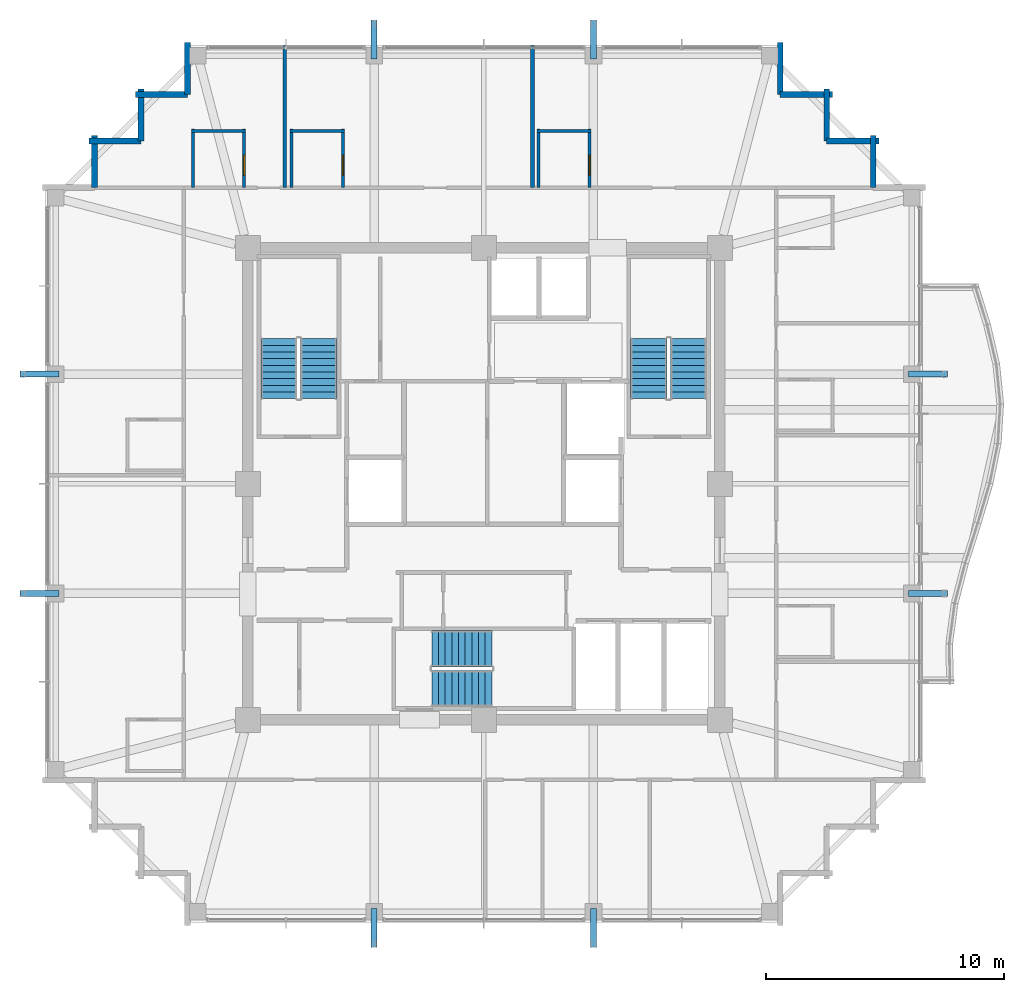
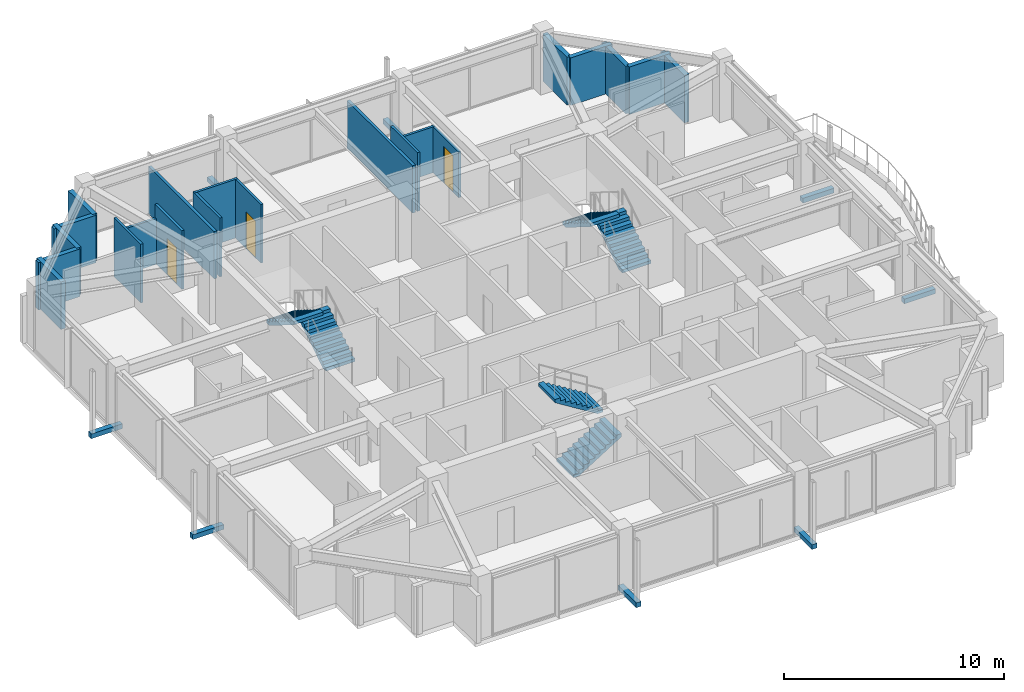
# One storey, part 27 of 29: 21 walls, 8 discrete accessories, 6 stair flights, 3 doors, 3 openings, 3 elements without a shape of their own.
"""IFC4 building model written with IfcOpenShell, lengths in metres."""

import ifcopenshell
import ifcopenshell.guid

model = None  # the IFC model being written
_history = None  # IfcOwnerHistory: only IFC2X3 demands one
_inside = {}  # id of a spatial element -> (the spatial element, [elements in it])
_under = {}  # id of a project, library or spatial element -> (it, [spatial elements below it])
_declared = {}  # id of a project -> (the project, [libraries it declares])
_typed = {}  # id of a type object -> (the type object, [elements of that type])
_made_of = {}  # id of a material, layer set ... -> (it, [elements and type objects made of it])


def new_model(schema):
    """Start an empty IFC model of exactly this schema.

    Asked for "IFC4X3", IfcOpenShell would pick the latest addendum, in which some entities
    have other attributes; the version numbers below select the first issue.
    IFC2X3 requires an IfcOwnerHistory on every rooted entity: one is made here for all.
    """
    global model, _history
    if schema == "IFC4X3":
        model = ifcopenshell.file(schema_version=(4, 3, 0, 0))
    else:
        model = ifcopenshell.file(schema=schema)
    _inside.clear()
    _under.clear()
    _declared.clear()
    _typed.clear()
    _made_of.clear()
    _history = None
    if model.schema == "IFC2X3":
        org = make("IfcOrganization", Name="unknown")
        user = make(
            "IfcPersonAndOrganization",
            ThePerson=make("IfcPerson", FamilyName="unknown"),
            TheOrganization=org,
        )
        app = make(
            "IfcApplication",
            ApplicationDeveloper=org,
            Version="unknown",
            ApplicationFullName="unknown",
            ApplicationIdentifier="unknown",
        )
        _history = make(
            "IfcOwnerHistory",
            OwningUser=user,
            OwningApplication=app,
            ChangeAction="ADDED",
            CreationDate=0,
        )
    return model


def make(cls, **values):
    """One entity of the class cls with the attributes given. An attribute that is None is left unset."""
    return model.create_entity(
        cls, **{name: value for name, value in values.items() if value is not None}
    )


def rooted(cls, **values):
    """An entity with a GlobalId (a new one), such as an element, a storey or a relation."""
    return make(cls, GlobalId=ifcopenshell.guid.new(), OwnerHistory=_history, **values)


def si_unit(unit_type, name, prefix=None):
    """IfcSIUnit, for example si_unit("LENGTHUNIT", "METRE", prefix="MILLI")."""
    return make("IfcSIUnit", UnitType=unit_type, Prefix=prefix, Name=name)


def assignment(units):
    """IfcUnitAssignment: the units of a project."""
    return None if units is None else make("IfcUnitAssignment", Units=units)


def point(xyz):
    """IfcCartesianPoint."""
    return None if xyz is None else make("IfcCartesianPoint", Coordinates=xyz)


def direction(xyz):
    """IfcDirection."""
    return None if xyz is None else make("IfcDirection", DirectionRatios=xyz)


def frame(location, z_axis=None, x_axis=None):
    """IfcAxis2Placement3D, a coordinate frame: its origin and axes. An axis left out is left unset."""
    return make(
        "IfcAxis2Placement3D",
        Location=point(location),
        Axis=direction(z_axis),
        RefDirection=direction(x_axis),
    )


def frame_2d(location, x_axis=None):
    """IfcAxis2Placement2D, a coordinate frame in the plane: its origin and x axis."""
    return make(
        "IfcAxis2Placement2D", Location=point(location), RefDirection=direction(x_axis)
    )


def origin():
    """The frame at (0, 0, 0) with its axes left unset."""
    return frame((0.0, 0.0, 0.0))


def origin_2d():
    """The frame at (0, 0) in the plane with its x axis left unset."""
    return frame_2d((0.0, 0.0))


def place(relative_to, where):
    """IfcLocalPlacement: puts the frame where relative to a parent placement (None: the world)."""
    return make(
        "IfcLocalPlacement", PlacementRelTo=relative_to, RelativePlacement=where
    )


def context(
    kind, dimensions, precision=None, world=None, true_north=None, identifier=None
):
    """IfcGeometricRepresentationContext, for example the 3D "Model" context."""
    return make(
        "IfcGeometricRepresentationContext",
        ContextIdentifier=identifier,
        ContextType=kind,
        CoordinateSpaceDimension=dimensions,
        Precision=precision,
        WorldCoordinateSystem=world,
        TrueNorth=true_north,
    )


def subcontext(parent, identifier, kind, view, scale=None):
    """IfcGeometricRepresentationSubContext, for example "Body" below "Model"."""
    return make(
        "IfcGeometricRepresentationSubContext",
        ContextIdentifier=identifier,
        ContextType=kind,
        ParentContext=parent,
        TargetScale=scale,
        TargetView=view,
    )


def project(units=None, contexts=None):
    """IfcProject with its units and contexts."""
    return rooted(
        "IfcProject",
        Name="project",
        RepresentationContexts=contexts,
        UnitsInContext=assignment(units),
    )


def spatial(cls, under=None, at=None, **own):
    """A site, building, storey or space (cls), placed at a placement, below another one or the project."""
    s = rooted(cls, ObjectPlacement=at, **own)
    if under is not None:
        _under.setdefault(under.id(), (under, []))[1].append(s)
    return s


def polyline(points):
    """IfcPolyline through the points."""
    return make("IfcPolyline", Points=[point(p) for p in points])


def profile(cls, at=None, kind="AREA", **sizes):
    """A parametric profile (cls). Its sizes go by their IFC names, for example OverallWidth=200.0."""
    return make(cls, ProfileType=kind, Position=at, **sizes)


def rectangle(**sizes):
    """IfcRectangleProfileDef."""
    return profile("IfcRectangleProfileDef", **sizes)


def outline(outer, holes=None, kind="AREA"):
    """IfcArbitraryClosedProfileDef: a profile drawn as a closed curve; with holes, ...WithVoids."""
    if holes is None:
        return make("IfcArbitraryClosedProfileDef", ProfileType=kind, OuterCurve=outer)
    return make(
        "IfcArbitraryProfileDefWithVoids",
        ProfileType=kind,
        OuterCurve=outer,
        InnerCurves=holes,
    )


def extrude(swept, where, along, depth):
    """IfcExtrudedAreaSolid: the profile swept, set in the frame where, extruded along a direction by depth."""
    return make(
        "IfcExtrudedAreaSolid",
        SweptArea=swept,
        Position=where,
        ExtrudedDirection=direction(along),
        Depth=depth,
    )


def shape(context_of_items, identifier, shape_type, items):
    """IfcShapeRepresentation: the items that make up one representation, for example the "Body"."""
    return make(
        "IfcShapeRepresentation",
        ContextOfItems=context_of_items,
        RepresentationIdentifier=identifier,
        RepresentationType=shape_type,
        Items=items,
    )


def material(Name=None, Category=None):
    """IfcMaterial."""
    return make("IfcMaterial", Name=Name, Category=Category)


def layer(
    of_material, thickness, ventilated=None, Name=None, Category=None, Priority=None
):
    """IfcMaterialLayer: one layer of a wall or slab, of a material (None: an air gap)."""
    return make(
        "IfcMaterialLayer",
        Material=of_material,
        LayerThickness=thickness,
        IsVentilated=ventilated,
        Name=Name,
        Category=Category,
        Priority=Priority,
    )


def layer_set(layers, Name=None):
    """IfcMaterialLayerSet."""
    return make("IfcMaterialLayerSet", MaterialLayers=layers, LayerSetName=Name)


def made_of(thing, what):
    """Note that an element or type object is made of a material, layer set ...; save() writes the relation."""
    if what is not None:
        _made_of.setdefault(what.id(), (what, []))[1].append(thing)
    return thing


def type_object(cls, material=None, **own):
    """A type object (cls), such as IfcWallType, which elements share."""
    return made_of(rooted(cls, **own), material)


def element(
    cls,
    number,
    at=None,
    inside=None,
    cuts=None,
    type_object=None,
    material=None,
    context=None,
    identifier="Body",
    shape_type=None,
    held_by="IfcProductDefinitionShape",
    body=None,
    shapes=None,
    **own,
):
    """One element of the class cls, such as IfcWall. Its Tag is "e" and its number.

    at: its placement. inside: the storey or other place that contains it. cuts: it is an
    opening in that element (IfcRelVoidsElement). A single representation is given by context,
    identifier, shape_type and body (its items); several are given by shapes. held_by: the class
    of the entity that holds the representations. save() writes the other relations.
    """
    e = rooted(cls, Tag="e%d" % number, ObjectPlacement=at, **own)
    if body is not None:
        shapes = [shape(context, identifier, shape_type, body)]
    if shapes is not None:
        e.Representation = make(held_by, Representations=shapes)
    if inside is not None:
        _inside.setdefault(inside.id(), (inside, []))[1].append(e)
    if cuts is not None:
        rooted(
            "IfcRelVoidsElement", RelatingBuildingElement=cuts, RelatedOpeningElement=e
        )
    if type_object is not None:
        _typed.setdefault(type_object.id(), (type_object, []))[1].append(e)
    return made_of(e, material)


def fill(opening, filler):
    """IfcRelFillsElement: the door or window that sits in an opening."""
    return rooted(
        "IfcRelFillsElement",
        RelatingOpeningElement=opening,
        RelatedBuildingElement=filler,
    )


def aggregate(whole, parts):
    """IfcRelAggregates: a whole, such as a stair, and the parts it consists of."""
    return rooted("IfcRelAggregates", RelatingObject=whole, RelatedObjects=parts)


def save(model, path):
    """Write the relations noted so far, then the file.

    IfcRelAggregates (storeys below a building ...), IfcRelContainedInSpatialStructure (elements
    in a storey), IfcRelDefinesByType, IfcRelAssociatesMaterial and IfcRelDeclares: one each for
    every whole, place, type object, material and project.
    """
    for whole, parts in _under.values():
        aggregate(whole, parts)
    for where, things in _inside.values():
        rooted(
            "IfcRelContainedInSpatialStructure",
            RelatedElements=things,
            RelatingStructure=where,
        )
    for kind, things in _typed.values():
        rooted("IfcRelDefinesByType", RelatedObjects=things, RelatingType=kind)
    for what, things in _made_of.values():
        rooted("IfcRelAssociatesMaterial", RelatedObjects=things, RelatingMaterial=what)
    for by, libraries in _declared.values():
        rooted("IfcRelDeclares", RelatingContext=by, RelatedDefinitions=libraries)
    model.write(path)


model = new_model("IFC4")

# Units and contexts
model_context = context("Model", 3, precision=1e-05, world=origin(), true_north=direction((0.0, 1.0)))
body_context = subcontext(model_context, "Body", "Model", "MODEL_VIEW")
ifc_project = project(units=[si_unit("LENGTHUNIT", "METRE"), si_unit("AREAUNIT", "SQUARE_METRE"), si_unit("VOLUMEUNIT", "CUBIC_METRE"), si_unit("PLANEANGLEUNIT", "RADIAN"), si_unit("MASSUNIT", "GRAM", prefix="KILO")], contexts=[model_context])

# Site, building, storey
site_placement = place(None, origin())
site = spatial("IfcSite", under=ifc_project, at=site_placement, CompositionType="ELEMENT")
building_placement = place(site_placement, origin())
building = spatial("IfcBuilding", under=site, at=building_placement, Name="Kolvaren Belvedere", CompositionType="ELEMENT")
storey_placement = place(building_placement, frame((0.0, 0.0, 244.39990234375)))
storey = spatial("IfcBuildingStorey", under=building, at=storey_placement, Name="L71", CompositionType="ELEMENT", Elevation=244.39990234375)

# Walls
ifc_material_1 = material(Name="Insulated pale-metal facade wall assembly", Category="aluminium")
ifc_layer_1 = layer(ifc_material_1, 0.239990234375)
ifc_layer_set_1 = layer_set([ifc_layer_1], Name="Insulated pale-metal facade wall assembly")
wall_type_1 = type_object("IfcWallType", Name="WL-EXT-240", PredefinedType="STANDARD", material=ifc_layer_set_1)
for number, where, z_axis, x_axis, name in (
    (1, (16.330078125, 14.6201171875, 0.0), (0.0, 0.0, 1.0), (0.0, -1.0, 0.0), "L71 Serrated Corner Facade Wall 10"),
    (2, (14.3798828125, 14.3798828125, 0.0), (0.0, 0.0, 1.0), (1.0, 0.0, 0.0), "L71 Serrated Corner Facade Wall 11"),
    (3, (14.3798828125, 16.570068359375, 0.0), (0.0, 0.0, 1.0), (0.0, -1.0, 0.0), "L71 Serrated Corner Facade Wall 12"),
    (4, (12.429931640625, 16.330078125, 0.0), (0.0, 0.0, 1.0), (1.0, 0.0, 0.0), "L71 Serrated Corner Facade Wall 13"),
):
    element("IfcWall", number, at=place(storey_placement, frame(where, z_axis=z_axis, x_axis=x_axis)), inside=storey, type_object=wall_type_1, Name=name, PredefinedType="STANDARD", context=body_context, shape_type="SweptSolid", body=[
        extrude(rectangle(XDim=2.190185546875, YDim=0.239990234375, at=frame_2d((1.09521484375, 0.0))), origin(), (0.0, 0.0, 1.0), 2.633056640625),
    ])
for number, where, z_axis, x_axis, name in (
    (5, (12.429931640625, 18.52001953125, 0.0), (0.0, 0.0, 1.0), (0.0, -1.0, 0.0), "L71 Serrated Corner Facade Wall 14"),
    (6, (-12.429931640625, 16.330078125, 0.0), (0.0, 0.0, 1.0), (0.0, 1.0, 0.0), "L71 Serrated Corner Facade Wall 16"),
):
    element("IfcWall", number, at=place(storey_placement, frame(where, z_axis=z_axis, x_axis=x_axis)), inside=storey, type_object=wall_type_1, Name=name, PredefinedType="STANDARD", context=body_context, shape_type="SweptSolid", body=[
        extrude(rectangle(XDim=2.18994140625, YDim=0.239990234375, at=frame_2d((1.094970703125, 0.0))), origin(), (0.0, 0.0, 1.0), 2.633056640625),
    ])
for number, where, z_axis, x_axis, name in (
    (7, (-14.6201171875, 16.330078125, 0.0), (0.0, 0.0, 1.0), (1.0, 0.0, 0.0), "L71 Serrated Corner Facade Wall 17"),
    (8, (-14.3798828125, 14.3798828125, 0.0), (0.0, 0.0, 1.0), (0.0, 1.0, 0.0), "L71 Serrated Corner Facade Wall 18"),
    (9, (-16.570068359375, 14.3798828125, 0.0), (0.0, 0.0, 1.0), (1.0, 0.0, 0.0), "L71 Serrated Corner Facade Wall 19"),
    (10, (-16.330078125, 12.429931640625, 0.0), (0.0, 0.0, 1.0), (0.0, 1.0, 0.0), "L71 Serrated Corner Facade Wall 20"),
):
    element("IfcWall", number, at=place(storey_placement, frame(where, z_axis=z_axis, x_axis=x_axis)), inside=storey, type_object=wall_type_1, Name=name, PredefinedType="STANDARD", context=body_context, shape_type="SweptSolid", body=[
        extrude(rectangle(XDim=2.190185546875, YDim=0.239990234375, at=frame_2d((1.09521484375, 0.0))), origin(), (0.0, 0.0, 1.0), 2.633056640625),
    ])
ifc_material_2 = material(Name="Gypsum acoustic partition assembly", Category="gypsum")
ifc_layer_2 = layer(ifc_material_2, 0.14990234375)
ifc_layer_set_2 = layer_set([ifc_layer_2], Name="Gypsum acoustic partition assembly")
wall_type_2 = type_object("IfcWallType", Name="WL-PART-150", PredefinedType="PARTITIONING", material=ifc_layer_set_2)
for number, where, z_axis, x_axis, name in (
    (11, (-8.35595703125, 12.419921875, 0.0), (0.0, 0.0, 1.0), (0.0, 1.0, 0.0), "L71 North Suite Demising Wall 1"),
    (12, (2.0439453125, 12.419921875, 0.0), (0.0, 0.0, 1.0), (0.0, 1.0, 0.0), "L71 North Suite Demising Wall 2"),
):
    element("IfcWall", number, at=place(storey_placement, frame(where, z_axis=z_axis, x_axis=x_axis)), inside=storey, type_object=wall_type_2, Name=name, PredefinedType="PARTITIONING", context=body_context, shape_type="SweptSolid", body=[
        extrude(rectangle(XDim=5.9599609375, YDim=0.14990234375, at=frame_2d((2.97998046875, 0.0))), origin(), (0.0, 0.0, 1.0), 2.623046875),
    ])

# Wall, opening, door
ifc_material_3 = material(Name="Moisture-resistant gypsum partition", Category="gypsum")
ifc_layer_3 = layer(ifc_material_3, 0.125)
ifc_layer_set_3 = layer_set([ifc_layer_3], Name="Moisture-resistant gypsum partition")
wall_type_3 = type_object("IfcWallType", Name="WL-WET-125", PredefinedType="PARTITIONING", material=ifc_layer_set_3)
wall_1_placement = place(storey_placement, frame((-10.051025390625, 12.43505859375, 0.0), z_axis=(0.0, 0.0, 1.0), x_axis=(0.0, 1.0, 0.0)))
wall_1 = element("IfcWall", 13, at=wall_1_placement, inside=storey, type_object=wall_type_3, Name="L71 Bathroom Partition PW-L71-BTH-9-E", PredefinedType="PARTITIONING", context=body_context, shape_type="SweptSolid", body=[
    extrude(rectangle(XDim=2.43994140625, YDim=0.125, at=frame_2d((1.219970703125, 0.0))), origin(), (0.0, 0.0, 1.0), 3.25),
])
opening_1_placement = place(wall_1_placement, frame((0.5, 0.0, 0.0)))
opening_1 = element("IfcOpeningElement", 14, at=opening_1_placement, cuts=wall_1, Name="Opening D-BTH85", PredefinedType="OPENING", context=body_context, shape_type="SweptSolid", body=[
    extrude(rectangle(XDim=0.85009765625, YDim=2.030029296875, at=frame_2d((0.425048828125, 1.01513671875))), frame((0.0, 0.072509765625, 0.0), z_axis=(0.0, -1.0, 0.0), x_axis=(1.0, 0.0, 0.0)), (0.0, 0.0, 1.0), 0.14501953125),
])
ifc_material_4 = material(Name="Moisture-sealed Pacific white oak", Category="timber")
door_type = type_object("IfcDoorType", Name="DR-BATH-850", OperationType="NOTDEFINED", PredefinedType="DOOR", material=ifc_material_4)
door_1_placement = place(opening_1_placement, origin())
door_1 = element("IfcDoor", 15, at=door_1_placement, inside=storey, type_object=door_type, Name="L71 En-Suite Bathroom 7109 Door", OperationType="SINGLE_SWING_RIGHT", OverallHeight=2.030029296875, OverallWidth=0.85009765625, PredefinedType="DOOR", context=body_context, shape_type="SweptSolid", body=[
    extrude(rectangle(XDim=0.85009765625, YDim=2.030029296875, at=frame_2d((0.425048828125, 1.01513671875))), frame((0.0, 0.02490234375, 0.0), z_axis=(0.0, -1.0, 0.0), x_axis=(1.0, 0.0, 0.0)), (0.0, 0.0, 1.0), 0.050048828125),
])
fill(opening_1, door_1)

# Walls
wall_2_placement = place(storey_placement, frame((-12.260986328125, 14.794921875, 0.0), z_axis=(0.0, 0.0, 1.0), x_axis=(1.0, 0.0, 0.0)))
element("IfcWall", 16, at=wall_2_placement, inside=storey, type_object=wall_type_3, Name="L71 Bathroom Partition PW-L71-BTH-9-H", PredefinedType="PARTITIONING", context=body_context, shape_type="SweptSolid", body=[
    extrude(rectangle(XDim=2.27001953125, YDim=0.125, at=frame_2d((1.135009765625, 0.0))), origin(), (0.0, 0.0, 1.0), 2.5390625),
])
wall_3_placement = place(storey_placement, frame((-12.200927734375, 12.43505859375, 0.0), z_axis=(0.0, 0.0, 1.0), x_axis=(0.0, 1.0, 0.0)))
element("IfcWall", 17, at=wall_3_placement, inside=storey, type_object=wall_type_3, Name="L71 Bathroom Partition PW-L71-BTH-9-W", PredefinedType="PARTITIONING", context=body_context, shape_type="SweptSolid", body=[
    extrude(rectangle(XDim=2.43994140625, YDim=0.125, at=frame_2d((1.219970703125, 0.0))), origin(), (0.0, 0.0, 1.0), 3.25),
])

# Wall, opening, door
wall_4_placement = place(storey_placement, frame((-5.910888671875, 12.43505859375, 0.0), z_axis=(0.0, 0.0, 1.0), x_axis=(0.0, 1.0, 0.0)))
wall_4 = element("IfcWall", 18, at=wall_4_placement, inside=storey, type_object=wall_type_3, Name="L71 Bathroom Partition PW-L71-BTH-10-E", PredefinedType="PARTITIONING", context=body_context, shape_type="SweptSolid", body=[
    extrude(rectangle(XDim=2.43994140625, YDim=0.125, at=frame_2d((1.219970703125, 0.0))), origin(), (0.0, 0.0, 1.0), 3.25),
])
opening_2_placement = place(wall_4_placement, frame((0.5, 0.0, 0.0)))
opening_2 = element("IfcOpeningElement", 19, at=opening_2_placement, cuts=wall_4, Name="Opening D-BTH85", PredefinedType="OPENING", context=body_context, shape_type="SweptSolid", body=[
    extrude(rectangle(XDim=0.85009765625, YDim=2.030029296875, at=frame_2d((0.425048828125, 1.01513671875))), frame((0.0, 0.072509765625, 0.0), z_axis=(0.0, -1.0, 0.0), x_axis=(1.0, 0.0, 0.0)), (0.0, 0.0, 1.0), 0.14501953125),
])
door_2_placement = place(opening_2_placement, origin())
door_2 = element("IfcDoor", 20, at=door_2_placement, inside=storey, type_object=door_type, Name="L71 En-Suite Bathroom 7110 Door", OperationType="SINGLE_SWING_RIGHT", OverallHeight=2.030029296875, OverallWidth=0.85009765625, PredefinedType="DOOR", context=body_context, shape_type="SweptSolid", body=[
    extrude(rectangle(XDim=0.85009765625, YDim=2.030029296875, at=frame_2d((0.425048828125, 1.01513671875))), frame((0.0, 0.02490234375, 0.0), z_axis=(0.0, -1.0, 0.0), x_axis=(1.0, 0.0, 0.0)), (0.0, 0.0, 1.0), 0.050048828125),
])
fill(opening_2, door_2)

# Walls
wall_5_placement = place(storey_placement, frame((-8.12109375, 14.794921875, 0.0), z_axis=(0.0, 0.0, 1.0), x_axis=(1.0, 0.0, 0.0)))
element("IfcWall", 21, at=wall_5_placement, inside=storey, type_object=wall_type_3, Name="L71 Bathroom Partition PW-L71-BTH-10-H", PredefinedType="PARTITIONING", context=body_context, shape_type="SweptSolid", body=[
    extrude(rectangle(XDim=2.27001953125, YDim=0.125, at=frame_2d((1.135009765625, 0.0))), origin(), (0.0, 0.0, 1.0), 3.25),
])
wall_6_placement = place(storey_placement, frame((-8.06103515625, 12.43505859375, 0.0), z_axis=(0.0, 0.0, 1.0), x_axis=(0.0, 1.0, 0.0)))
element("IfcWall", 22, at=wall_6_placement, inside=storey, type_object=wall_type_3, Name="L71 Bathroom Partition PW-L71-BTH-10-W", PredefinedType="PARTITIONING", context=body_context, shape_type="SweptSolid", body=[
    extrude(rectangle(XDim=2.43994140625, YDim=0.125, at=frame_2d((1.219970703125, 0.0))), origin(), (0.0, 0.0, 1.0), 3.25),
])

# Wall, opening, door
wall_7_placement = place(storey_placement, frame((4.43896484375, 12.43505859375, 0.0), z_axis=(0.0, 0.0, 1.0), x_axis=(0.0, 1.0, 0.0)))
wall_7 = element("IfcWall", 23, at=wall_7_placement, inside=storey, type_object=wall_type_3, Name="L71 Bathroom Partition PW-L71-BTH-11-E", PredefinedType="PARTITIONING", context=body_context, shape_type="SweptSolid", body=[
    extrude(rectangle(XDim=2.43994140625, YDim=0.125, at=frame_2d((1.219970703125, 0.0))), origin(), (0.0, 0.0, 1.0), 2.5390625),
])
opening_3_placement = place(wall_7_placement, frame((0.5, 0.0, 0.0)))
opening_3 = element("IfcOpeningElement", 24, at=opening_3_placement, cuts=wall_7, Name="Opening D-BTH85", PredefinedType="OPENING", context=body_context, shape_type="SweptSolid", body=[
    extrude(rectangle(XDim=0.85009765625, YDim=2.030029296875, at=frame_2d((0.425048828125, 1.01513671875))), frame((0.0, 0.072509765625, 0.0), z_axis=(0.0, -1.0, 0.0), x_axis=(1.0, 0.0, 0.0)), (0.0, 0.0, 1.0), 0.14501953125),
])
door_3_placement = place(opening_3_placement, origin())
door_3 = element("IfcDoor", 25, at=door_3_placement, inside=storey, type_object=door_type, Name="L71 En-Suite Bathroom 7111 Door", OperationType="SINGLE_SWING_RIGHT", OverallHeight=2.030029296875, OverallWidth=0.85009765625, PredefinedType="DOOR", context=body_context, shape_type="SweptSolid", body=[
    extrude(rectangle(XDim=0.85009765625, YDim=2.030029296875, at=frame_2d((0.425048828125, 1.01513671875))), frame((0.0, 0.02490234375, 0.0), z_axis=(0.0, -1.0, 0.0), x_axis=(1.0, 0.0, 0.0)), (0.0, 0.0, 1.0), 0.050048828125),
])
fill(opening_3, door_3)

# Walls
wall_8_placement = place(storey_placement, frame((2.22900390625, 14.794921875, 0.0), z_axis=(0.0, 0.0, 1.0), x_axis=(1.0, 0.0, 0.0)))
element("IfcWall", 26, at=wall_8_placement, inside=storey, type_object=wall_type_3, Name="L71 Bathroom Partition PW-L71-BTH-11-H", PredefinedType="PARTITIONING", context=body_context, shape_type="SweptSolid", body=[
    extrude(rectangle(XDim=2.27001953125, YDim=0.125, at=frame_2d((1.135009765625, 0.0))), origin(), (0.0, 0.0, 1.0), 2.5390625),
])
wall_9_placement = place(storey_placement, frame((2.2890625, 12.43505859375, 0.0), z_axis=(0.0, 0.0, 1.0), x_axis=(0.0, 1.0, 0.0)))
element("IfcWall", 27, at=wall_9_placement, inside=storey, type_object=wall_type_3, Name="L71 Bathroom Partition PW-L71-BTH-11-W", PredefinedType="PARTITIONING", context=body_context, shape_type="SweptSolid", body=[
    extrude(rectangle(XDim=2.43994140625, YDim=0.125, at=frame_2d((1.219970703125, 0.0))), origin(), (0.0, 0.0, 1.0), 3.25),
])

# Stair, stair flights
ifc_material_5 = material(Name="Concrete C50/60", Category="concrete")
stair_type = type_object("IfcStairType", Name="ST-CORE-1520", PredefinedType="HALF_TURN_STAIR", material=ifc_material_5)
stair_1_placement = place(storey_placement, origin())
stair_1 = element("IfcStair", 28, at=stair_1_placement, inside=storey, type_object=stair_type, Name="L71 Protected Exit Stair ST-1", PredefinedType="HALF_TURN_STAIR")
ifc_material_6 = material(Name="Concrete C50/60", Category="concrete")
stair_flight_type = type_object("IfcStairFlightType", Name="SF-STR-1520", PredefinedType="STRAIGHT", material=ifc_material_6)
stair_flight_1_placement = place(storey_placement, frame((-6.919921875, 3.570068359375, 0.0), z_axis=(0.0, 0.0, 1.0), x_axis=(0.0, 1.0, 0.0)))
stair_flight_1 = element("IfcStairFlight", 29, at=stair_flight_1_placement, type_object=stair_flight_type, Name="ST-1 flight 1", NumberOfRisers=10, NumberOfTreads=9, PredefinedType="STRAIGHT", RiserHeight=0.175, TreadLength=0.28, context=body_context, shape_type="SweptSolid", body=[
    extrude(outline(polyline([(0.0, 0.0), (0.0, 0.175048828125), (0.280029296875, 0.175048828125), (0.280029296875, 0.35009765625), (0.56005859375, 0.35009765625), (0.56005859375, 0.52490234375), (0.840087890625, 0.52490234375), (0.840087890625, 0.699951171875), (1.1201171875, 0.699951171875), (1.1201171875, 0.875), (1.39990234375, 0.875), (1.39990234375, 1.050048828125), (1.679931640625, 1.050048828125), (1.679931640625, 1.22509765625), (1.9599609375, 1.22509765625), (1.9599609375, 1.39990234375), (2.239990234375, 1.39990234375), (2.239990234375, 1.574951171875), (2.52001953125, 1.574951171875), (2.52001953125, 1.75), (2.52001953125, 1.398193359375), (0.28271484375, 0.0), (0.0, 0.0)])), frame((0.0, 0.760009765625, 0.0), z_axis=(0.0, -1.0, 0.0), x_axis=(1.0, 0.0, 0.0)), (0.0, 0.0, 1.0), 1.52001953125),
])
stair_flight_2_placement = place(storey_placement, frame((-8.590087890625, 6.090087890625, 1.75), z_axis=(0.0, 0.0, 1.0), x_axis=(0.0, -1.0, 0.0)))
stair_flight_2 = element("IfcStairFlight", 30, at=stair_flight_2_placement, type_object=stair_flight_type, Name="ST-1 flight 2", NumberOfRisers=10, NumberOfTreads=9, PredefinedType="STRAIGHT", RiserHeight=0.175, TreadLength=0.28, context=body_context, shape_type="SweptSolid", body=[
    extrude(outline(polyline([(0.0, 0.0), (0.0, 0.175048828125), (0.280029296875, 0.175048828125), (0.280029296875, 0.35009765625), (0.56005859375, 0.35009765625), (0.56005859375, 0.52490234375), (0.840087890625, 0.52490234375), (0.840087890625, 0.699951171875), (1.1201171875, 0.699951171875), (1.1201171875, 0.875), (1.39990234375, 0.875), (1.39990234375, 1.050048828125), (1.679931640625, 1.050048828125), (1.679931640625, 1.22509765625), (1.9599609375, 1.22509765625), (1.9599609375, 1.39990234375), (2.239990234375, 1.39990234375), (2.239990234375, 1.574951171875), (2.52001953125, 1.574951171875), (2.52001953125, 1.75), (2.52001953125, 1.398193359375), (0.28271484375, 0.0), (0.0, 0.0)])), frame((0.0, 0.760009765625, 0.0), z_axis=(0.0, -1.0, 0.0), x_axis=(1.0, 0.0, 0.0)), (0.0, 0.0, 1.0), 1.52001953125),
])
aggregate(stair_1, [stair_flight_1, stair_flight_2])

stair_2_placement = place(storey_placement, origin())
stair_2 = element("IfcStair", 31, at=stair_2_placement, inside=storey, type_object=stair_type, Name="L71 Protected Exit Stair ST-2", PredefinedType="HALF_TURN_STAIR")
stair_flight_3_placement = place(storey_placement, frame((8.590087890625, 3.570068359375, 0.0), z_axis=(0.0, 0.0, 1.0), x_axis=(0.0, 1.0, 0.0)))
stair_flight_3 = element("IfcStairFlight", 32, at=stair_flight_3_placement, type_object=stair_flight_type, Name="ST-2 flight 1", NumberOfRisers=10, NumberOfTreads=9, PredefinedType="STRAIGHT", RiserHeight=0.175, TreadLength=0.28, context=body_context, shape_type="SweptSolid", body=[
    extrude(outline(polyline([(0.0, 0.0), (0.0, 0.175048828125), (0.280029296875, 0.175048828125), (0.280029296875, 0.35009765625), (0.56005859375, 0.35009765625), (0.56005859375, 0.52490234375), (0.840087890625, 0.52490234375), (0.840087890625, 0.699951171875), (1.1201171875, 0.699951171875), (1.1201171875, 0.875), (1.39990234375, 0.875), (1.39990234375, 1.050048828125), (1.679931640625, 1.050048828125), (1.679931640625, 1.22509765625), (1.9599609375, 1.22509765625), (1.9599609375, 1.39990234375), (2.239990234375, 1.39990234375), (2.239990234375, 1.574951171875), (2.52001953125, 1.574951171875), (2.52001953125, 1.75), (2.52001953125, 1.398193359375), (0.28271484375, 0.0), (0.0, 0.0)])), frame((0.0, 0.760009765625, 0.0), z_axis=(0.0, -1.0, 0.0), x_axis=(1.0, 0.0, 0.0)), (0.0, 0.0, 1.0), 1.52001953125),
])
stair_flight_4_placement = place(storey_placement, frame((6.919921875, 6.090087890625, 1.75), z_axis=(0.0, 0.0, 1.0), x_axis=(0.0, -1.0, 0.0)))
stair_flight_4 = element("IfcStairFlight", 33, at=stair_flight_4_placement, type_object=stair_flight_type, Name="ST-2 flight 2", NumberOfRisers=10, NumberOfTreads=9, PredefinedType="STRAIGHT", RiserHeight=0.175, TreadLength=0.28, context=body_context, shape_type="SweptSolid", body=[
    extrude(outline(polyline([(0.0, 0.0), (0.0, 0.175048828125), (0.280029296875, 0.175048828125), (0.280029296875, 0.35009765625), (0.56005859375, 0.35009765625), (0.56005859375, 0.52490234375), (0.840087890625, 0.52490234375), (0.840087890625, 0.699951171875), (1.1201171875, 0.699951171875), (1.1201171875, 0.875), (1.39990234375, 0.875), (1.39990234375, 1.050048828125), (1.679931640625, 1.050048828125), (1.679931640625, 1.22509765625), (1.9599609375, 1.22509765625), (1.9599609375, 1.39990234375), (2.239990234375, 1.39990234375), (2.239990234375, 1.574951171875), (2.52001953125, 1.574951171875), (2.52001953125, 1.75), (2.52001953125, 1.398193359375), (0.28271484375, 0.0), (0.0, 0.0)])), frame((0.0, 0.760009765625, 0.0), z_axis=(0.0, -1.0, 0.0), x_axis=(1.0, 0.0, 0.0)), (0.0, 0.0, 1.0), 1.52001953125),
])
aggregate(stair_2, [stair_flight_3, stair_flight_4])

stair_3_placement = place(storey_placement, origin())
stair_3 = element("IfcStair", 34, at=stair_3_placement, inside=storey, type_object=stair_type, Name="L71 Protected Exit Stair ST-3", PredefinedType="HALF_TURN_STAIR")
stair_flight_5_placement = place(storey_placement, frame((-2.179931640625, -8.590087890625, 0.0), z_axis=(0.0, 0.0, 1.0), x_axis=(1.0, 0.0, 0.0)))
stair_flight_5 = element("IfcStairFlight", 35, at=stair_flight_5_placement, type_object=stair_flight_type, Name="ST-3 flight 1", NumberOfRisers=10, NumberOfTreads=9, PredefinedType="STRAIGHT", RiserHeight=0.175, TreadLength=0.28, context=body_context, shape_type="SweptSolid", body=[
    extrude(outline(polyline([(0.0, 0.0), (0.0, 0.175048828125), (0.280029296875, 0.175048828125), (0.280029296875, 0.35009765625), (0.56005859375, 0.35009765625), (0.56005859375, 0.52490234375), (0.840087890625, 0.52490234375), (0.840087890625, 0.699951171875), (1.1201171875, 0.699951171875), (1.1201171875, 0.875), (1.39990234375, 0.875), (1.39990234375, 1.050048828125), (1.679931640625, 1.050048828125), (1.679931640625, 1.22509765625), (1.9599609375, 1.22509765625), (1.9599609375, 1.39990234375), (2.239990234375, 1.39990234375), (2.239990234375, 1.574951171875), (2.52001953125, 1.574951171875), (2.52001953125, 1.75), (2.52001953125, 1.398193359375), (0.28271484375, 0.0), (0.0, 0.0)])), frame((0.0, 0.760009765625, 0.0), z_axis=(0.0, -1.0, 0.0), x_axis=(1.0, 0.0, 0.0)), (0.0, 0.0, 1.0), 1.52001953125),
])
stair_flight_6_placement = place(storey_placement, frame((0.340087890625, -6.919921875, 1.75), z_axis=(0.0, 0.0, 1.0), x_axis=(-1.0, 0.0, 0.0)))
stair_flight_6 = element("IfcStairFlight", 36, at=stair_flight_6_placement, type_object=stair_flight_type, Name="ST-3 flight 2", NumberOfRisers=10, NumberOfTreads=9, PredefinedType="STRAIGHT", RiserHeight=0.175, TreadLength=0.28, context=body_context, shape_type="SweptSolid", body=[
    extrude(outline(polyline([(0.0, 0.0), (0.0, 0.175048828125), (0.280029296875, 0.175048828125), (0.280029296875, 0.35009765625), (0.56005859375, 0.35009765625), (0.56005859375, 0.52490234375), (0.840087890625, 0.52490234375), (0.840087890625, 0.699951171875), (1.1201171875, 0.699951171875), (1.1201171875, 0.875), (1.39990234375, 0.875), (1.39990234375, 1.050048828125), (1.679931640625, 1.050048828125), (1.679931640625, 1.22509765625), (1.9599609375, 1.22509765625), (1.9599609375, 1.39990234375), (2.239990234375, 1.39990234375), (2.239990234375, 1.574951171875), (2.52001953125, 1.574951171875), (2.52001953125, 1.75), (2.52001953125, 1.398193359375), (0.28271484375, 0.0), (0.0, 0.0)])), frame((0.0, 0.760009765625, 0.0), z_axis=(0.0, -1.0, 0.0), x_axis=(1.0, 0.0, 0.0)), (0.0, 0.0, 1.0), 1.52001953125),
])
aggregate(stair_3, [stair_flight_5, stair_flight_6])

# Discrete accessories
ifc_material_7 = material(Name="Structural steel ASTM A572 Grade 50", Category="steel")
discrete_accessory_type = type_object("IfcDiscreteAccessoryType", Name="BRK-1 Steel Facade Support Bracket", PredefinedType="BRACKET", material=ifc_material_7)
for number, where, z_axis, x_axis, name in (
    (37, (-4.60009765625, 18.635009765625, -0.169921875), (0.0, 0.0, 1.0), (0.0, 1.0, 0.0), "L71 Picture-Frame Outrigger Cleat Bracket N1"),
    (38, (4.60009765625, 18.635009765625, -0.169921875), (0.0, 0.0, 1.0), (0.0, 1.0, 0.0), "L71 Picture-Frame Outrigger Cleat Bracket N2"),
    (39, (4.60009765625, -18.635009765625, -0.169921875), (0.0, 0.0, 1.0), (0.0, 1.0, 0.0), "L71 Picture-Frame Outrigger Cleat Bracket S1"),
    (40, (-4.60009765625, -18.635009765625, -0.169921875), (0.0, 0.0, 1.0), (0.0, 1.0, 0.0), "L71 Picture-Frame Outrigger Cleat Bracket S2"),
    (41, (18.635009765625, 4.60009765625, -0.169921875), (0.0, 0.0, 1.0), (1.0, 0.0, 0.0), "L71 Picture-Frame Outrigger Cleat Bracket E1"),
    (42, (18.635009765625, -4.60009765625, -0.169921875), (0.0, 0.0, 1.0), (1.0, 0.0, 0.0), "L71 Picture-Frame Outrigger Cleat Bracket E2"),
    (43, (-18.635009765625, -4.60009765625, -0.169921875), (0.0, 0.0, 1.0), (1.0, 0.0, 0.0), "L71 Picture-Frame Outrigger Cleat Bracket W1"),
    (44, (-18.635009765625, 4.60009765625, -0.169921875), (0.0, 0.0, 1.0), (1.0, 0.0, 0.0), "L71 Picture-Frame Outrigger Cleat Bracket W2"),
):
    element("IfcDiscreteAccessory", number, at=place(storey_placement, frame(where, z_axis=z_axis, x_axis=x_axis)), inside=storey, type_object=discrete_accessory_type, Name=name, PredefinedType="BRACKET", context=body_context, shape_type="SweptSolid", body=[
        extrude(rectangle(XDim=1.639892578125, YDim=0.260009765625, at=origin_2d()), origin(), (0.0, 0.0, 1.0), 0.260009765625),
    ])

save(model, "model.ifc")
